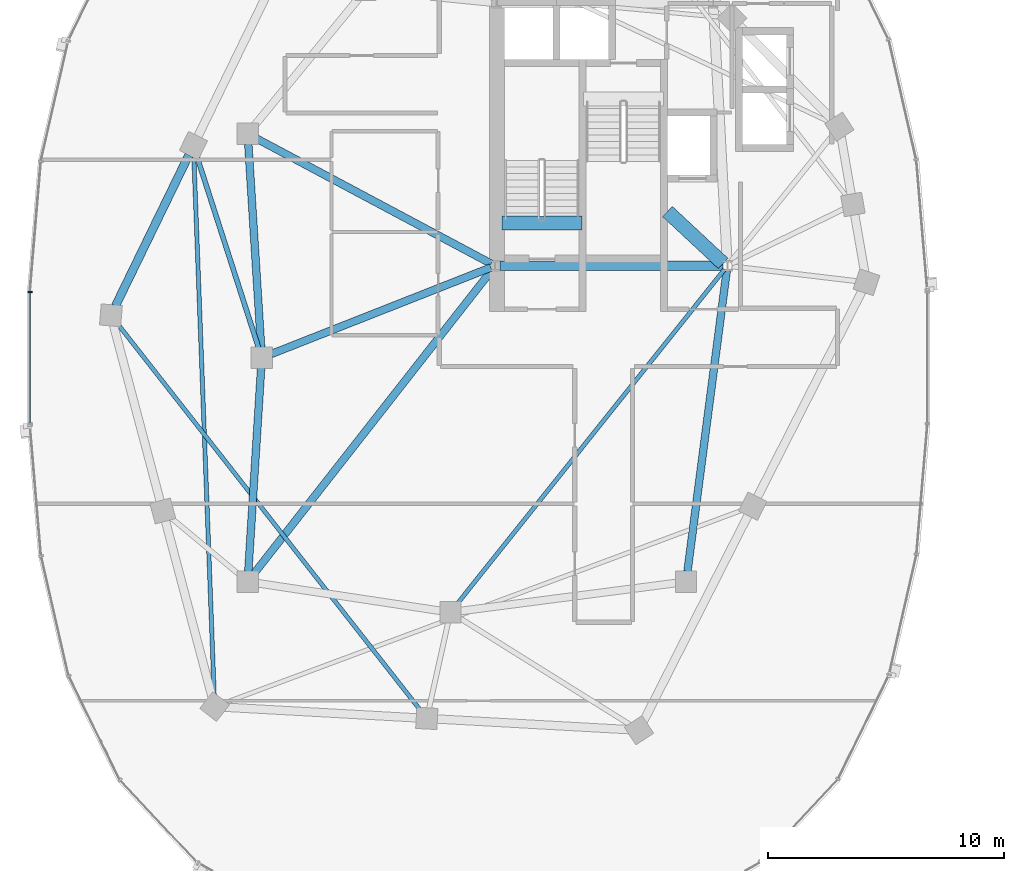
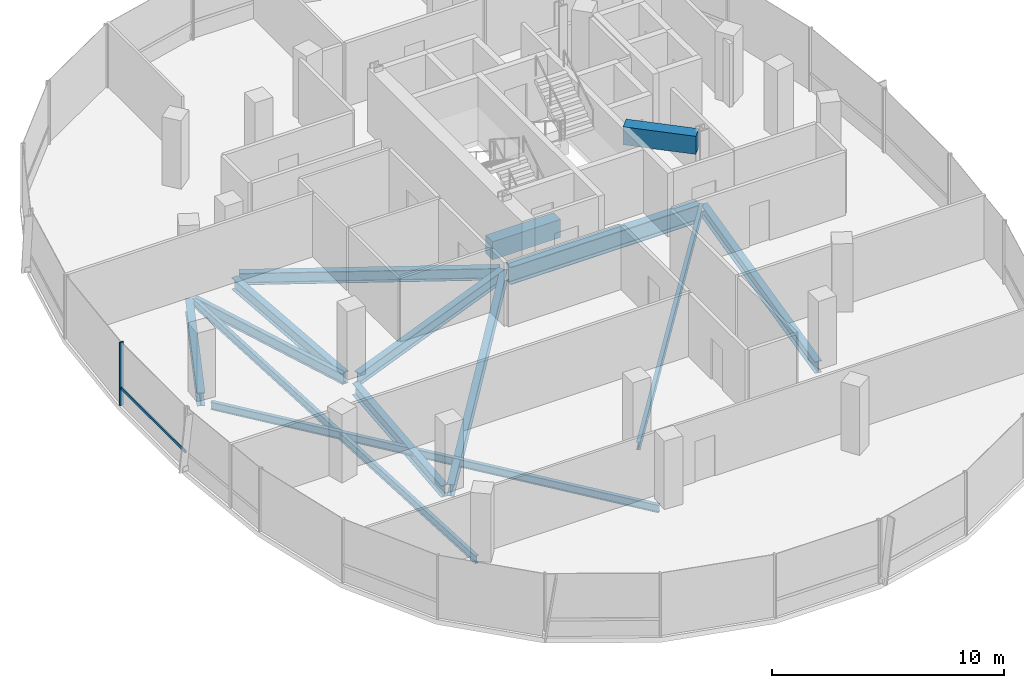
# One storey, part 4 of 25: 14 beams, 2 members, 1 element without a shape of its own.
"""IFC4 building model written with IfcOpenShell, lengths in metres."""

from ifc_helpers import new_model, si_unit, direction, frame, origin, origin_2d, place, context, subcontext, project, spatial, rectangle, i_section, extrude, material, material_profile, profile_set, type_object, element, aggregate, save


model = new_model("IFC4")

# Units and contexts
model_context = context("Model", 3, precision=1e-05, world=origin(), true_north=direction((0.0, 1.0)))
body_context = subcontext(model_context, "Body", "Model", "MODEL_VIEW")
ifc_project = project(units=[si_unit("LENGTHUNIT", "METRE"), si_unit("AREAUNIT", "SQUARE_METRE"), si_unit("VOLUMEUNIT", "CUBIC_METRE"), si_unit("PLANEANGLEUNIT", "RADIAN"), si_unit("MASSUNIT", "GRAM", prefix="KILO"), si_unit("THERMODYNAMICTEMPERATUREUNIT", "KELVIN"), si_unit("POWERUNIT", "WATT")], contexts=[model_context])

# Site, building, storey
site_placement = place(None, origin())
site = spatial("IfcSite", under=ifc_project, at=site_placement, CompositionType="ELEMENT")
building_placement = place(site_placement, origin())
building = spatial("IfcBuilding", under=site, at=building_placement, Name="Cundina Bronze Exchange", CompositionType="ELEMENT")
storey_placement = place(building_placement, frame((0.0, 0.0, 220.60009765625)))
storey = spatial("IfcBuildingStorey", under=building, at=storey_placement, Name="L58", CompositionType="ELEMENT", Elevation=220.60009765625)

# Beams
ifc_material_1 = material(Name="Concrete C60/75", Category="concrete")
ifc_material_profile_1 = material_profile(ifc_material_1, rectangle(XDim=0.60009765625, YDim=0.949951171875, at=origin_2d()), Name="RC600X950", Category="concrete")
ifc_profile_set_1 = profile_set([ifc_material_profile_1], Name="Concrete C60/75")
beam_type_1 = type_object("IfcBeamType", Name="BM-COUP-RC950", PredefinedType="LINTEL", material=ifc_profile_set_1)
beam_1_placement = place(storey_placement, frame((-31.02001953125, 5.719970703125, -0.47509765625), z_axis=(1.0, 0.0, 0.0), x_axis=(0.0, 1.0, 0.0)))
element("IfcBeam", 1, at=beam_1_placement, inside=storey, type_object=beam_type_1, Name="L58 Stair W1 Landing Header Beam", PredefinedType="LINTEL", context=body_context, shape_type="SweptSolid", body=[
    extrude(rectangle(XDim=0.60009765625, YDim=0.949951171875, at=origin_2d()), origin(), (0.0, 0.0, 1.0), 3.39990234375),
])
beam_2_placement = place(storey_placement, frame((-23.989990234375, 6.199951171875, 2.864990234375), z_axis=(0.731490439815, -0.681851696822, 0.0), x_axis=(0.681851696822, 0.731490439815, 0.0)))
element("IfcBeam", 2, at=beam_2_placement, inside=storey, type_object=beam_type_1, Name="L58 W Core Shear Coupling Lintel Beam", PredefinedType="LINTEL", context=body_context, shape_type="SweptSolid", body=[
    extrude(rectangle(XDim=0.60009765625, YDim=0.949951171875, at=origin_2d()), origin(), (0.0, 0.0, 1.0), 3.226318359375),
])
ifc_material_2 = material(Name="Steel ASTM A992 Grade 50", Category="steel")
ifc_material_profile_2 = material_profile(ifc_material_2, i_section(OverallWidth=0.2119140625, OverallDepth=0.5439453125, WebThickness=0.01318359375, FlangeThickness=0.021240234375, FilletRadius=0.013916015625, at=origin_2d()), Name="W21X83", Category="steel")
ifc_profile_set_2 = profile_set([ifc_material_profile_2], Name="Steel ASTM A992 Grade 50")
beam_type_2 = type_object("IfcBeamType", Name="BM-FLR-W21A", PredefinedType="BEAM", material=ifc_profile_set_2)
beam_3_placement = place(storey_placement, frame((-41.334228515625, 0.4169921875, -0.531982421875), z_axis=(-0.306727566953, 0.951797352208, 0.0), x_axis=(-0.951797352208, -0.306727566953, 0.0)))
element("IfcBeam", 3, at=beam_3_placement, inside=storey, type_object=beam_type_2, Name="L58 Leg W Radial Floor Beam 07", PredefinedType="BEAM", context=body_context, shape_type="SweptSolid", body=[
    extrude(i_section(OverallWidth=0.2119140625, OverallDepth=0.5439453125, WebThickness=0.01318359375, FlangeThickness=0.021240234375, FilletRadius=0.013916015625, at=origin_2d()), origin(), (0.0, 0.0, 1.0), 8.57958984375),
])
ifc_material_profile_3 = material_profile(ifc_material_2, i_section(OverallWidth=0.178955078125, OverallDepth=0.409912109375, WebThickness=0.0087890625, FlangeThickness=0.014404296875, FilletRadius=0.010986328125, at=origin_2d()), Name="W16X45", Category="steel")
ifc_profile_set_3 = profile_set([ifc_material_profile_3], Name="Steel ASTM A992 Grade 50")
beam_type_3 = type_object("IfcBeamType", Name="BM-JST-W16", PredefinedType="JOIST", material=ifc_profile_set_3)
beam_4_placement = place(storey_placement, frame((-21.572509765625, 3.746826171875, -0.465087890625), z_axis=(-0.624364266872, -0.781133319129, 0.0), x_axis=(0.781133319129, -0.624364266872, 0.0)))
element("IfcBeam", 4, at=beam_4_placement, inside=storey, type_object=beam_type_3, Name="L58 W Interior Core-to-Ring Joist 2", PredefinedType="JOIST", context=body_context, shape_type="SweptSolid", body=[
    extrude(i_section(OverallWidth=0.178955078125, OverallDepth=0.409912109375, WebThickness=0.0087890625, FlangeThickness=0.014404296875, FilletRadius=0.010986328125, at=origin_2d()), origin(), (0.0, 0.0, 1.0), 18.184814453125),
])
beam_5_placement = place(storey_placement, frame((-44.08349609375, 8.562255859375, -0.465087890625), z_axis=(0.037790216102, -0.999285694667, 0.0), x_axis=(0.999285694667, 0.037790216102, 0.0)))
element("IfcBeam", 5, at=beam_5_placement, inside=storey, type_object=beam_type_3, Name="L58 Leg W Lobe Floor Joist 07-10", PredefinedType="JOIST", context=body_context, shape_type="SweptSolid", body=[
    extrude(i_section(OverallWidth=0.178955078125, OverallDepth=0.409912109375, WebThickness=0.0087890625, FlangeThickness=0.014404296875, FilletRadius=0.010986328125, at=origin_2d()), origin(), (0.0, 0.0, 1.0), 22.94091796875),
])
beam_6_placement = place(storey_placement, frame((-47.329833984375, 1.455078125, -0.465087890625), z_axis=(0.616810493522, -0.787111691618, 0.0), x_axis=(0.787111691618, 0.616810493522, 0.0)))
element("IfcBeam", 6, at=beam_6_placement, inside=storey, type_object=beam_type_3, Name="L58 Leg W Lobe Floor Joist 08-11", PredefinedType="JOIST", context=body_context, shape_type="SweptSolid", body=[
    extrude(i_section(OverallWidth=0.178955078125, OverallDepth=0.409912109375, WebThickness=0.0087890625, FlangeThickness=0.014404296875, FilletRadius=0.010986328125, at=origin_2d()), origin(), (0.0, 0.0, 1.0), 20.8486328125),
])
ifc_material_profile_4 = material_profile(ifc_material_2, i_section(OverallWidth=0.324951171875, OverallDepth=0.615966796875, WebThickness=0.013916015625, FlangeThickness=0.021484375, FilletRadius=0.01611328125, at=origin_2d()), Name="W24X117", Category="steel")
ifc_profile_set_4 = profile_set([ifc_material_profile_4], Name="Steel ASTM A992 Grade 50")
beam_type_4 = type_object("IfcBeamType", Name="BM-RING-W24", PredefinedType="USERDEFINED", material=ifc_profile_set_4)
for number, where, z_axis, x_axis, name in (
    (7, (-41.7724609375, 9.06298828125, -0.568115234375), (0.063046519736, -0.998010589297, 0.0), (0.998010589297, 0.063046519736, 0.0), "L58 W Inner Structural Ring Girder 03"),
    (8, (-41.2275390625, -0.43701171875, -0.568115234375), (-0.063046519736, -0.998010589297, 0.0), (0.998010589297, -0.063046519736, 0.0), "L58 W Inner Structural Ring Girder 04"),
):
    element("IfcBeam", number, at=place(storey_placement, frame(where, z_axis=z_axis, x_axis=x_axis)), inside=storey, type_object=beam_type_4, Name=name, ObjectType="GIRDER", PredefinedType="USERDEFINED", context=body_context, shape_type="SweptSolid", body=[
        extrude(i_section(OverallWidth=0.324951171875, OverallDepth=0.615966796875, WebThickness=0.013916015625, FlangeThickness=0.021484375, FilletRadius=0.01611328125, at=origin_2d()), origin(), (0.0, 0.0, 1.0), 8.64306640625),
    ])
beam_7_placement = place(storey_placement, frame((-23.143310546875, -9.065673828125, -0.568115234375), z_axis=(0.129501251979, 0.991579258424, 0.0), x_axis=(-0.991579258424, 0.129501251979, 0.0)))
element("IfcBeam", 9, at=beam_7_placement, inside=storey, type_object=beam_type_4, Name="L58 W Inner Structural Ring Girder 07", ObjectType="GIRDER", PredefinedType="USERDEFINED", context=body_context, shape_type="SweptSolid", body=[
    extrude(i_section(OverallWidth=0.324951171875, OverallDepth=0.615966796875, WebThickness=0.013916015625, FlangeThickness=0.021484375, FilletRadius=0.01611328125, at=origin_2d()), origin(), (0.0, 0.0, 1.0), 12.8798828125),
])
beam_8_placement = place(storey_placement, frame((-31.482421875, 3.828125, -0.568115234375), z_axis=(-0.930404106569, -0.366535398673, 0.0), x_axis=(0.366535398673, -0.930404106569, 0.0)))
element("IfcBeam", 10, at=beam_8_placement, inside=storey, type_object=beam_type_4, Name="L58 W Core-to-Waist Tie Beam 1", ObjectType="GIRDER", PredefinedType="USERDEFINED", context=body_context, shape_type="SweptSolid", body=[
    extrude(i_section(OverallWidth=0.324951171875, OverallDepth=0.615966796875, WebThickness=0.013916015625, FlangeThickness=0.021484375, FilletRadius=0.01611328125, at=origin_2d()), origin(), (0.0, 0.0, 1.0), 10.00634765625),
])
beam_9_placement = place(storey_placement, frame((-31.472900390625, 3.9921875, -0.568115234375), z_axis=(-0.882350541683, 0.470592734317, 0.0), x_axis=(-0.470592734317, -0.882350541683, 0.0)))
element("IfcBeam", 11, at=beam_9_placement, inside=storey, type_object=beam_type_4, Name="L58 W Core-to-Waist Tie Beam 2", ObjectType="GIRDER", PredefinedType="USERDEFINED", context=body_context, shape_type="SweptSolid", body=[
    extrude(i_section(OverallWidth=0.324951171875, OverallDepth=0.615966796875, WebThickness=0.013916015625, FlangeThickness=0.021484375, FilletRadius=0.01611328125, at=origin_2d()), origin(), (0.0, 0.0, 1.0), 11.26611328125),
])
beam_10_placement = place(storey_placement, frame((-31.4208984375, 3.74560546875, -0.568115234375), z_axis=(-0.616782900053, -0.787133314123, 0.0), x_axis=(0.787133314123, -0.616782900053, 0.0)))
element("IfcBeam", 12, at=beam_10_placement, inside=storey, type_object=beam_type_4, Name="L58 W Core-to-Waist Tie Beam 3", ObjectType="GIRDER", PredefinedType="USERDEFINED", context=body_context, shape_type="SweptSolid", body=[
    extrude(i_section(OverallWidth=0.324951171875, OverallDepth=0.615966796875, WebThickness=0.013916015625, FlangeThickness=0.021484375, FilletRadius=0.01611328125, at=origin_2d()), origin(), (0.0, 0.0, 1.0), 16.3896484375),
])
ifc_material_profile_5 = material_profile(ifc_material_2, i_section(OverallWidth=0.35498046875, OverallDepth=0.695068359375, WebThickness=0.015380859375, FlangeThickness=0.02490234375, FilletRadius=0.01806640625, at=origin_2d()), Name="W27X146", Category="steel")
ifc_profile_set_5 = profile_set([ifc_material_profile_5], Name="Steel ASTM A992 Grade 50")
beam_type_5 = type_object("IfcBeamType", Name="BM-RING-W27", PredefinedType="USERDEFINED", material=ifc_profile_set_5)
beam_11_placement = place(storey_placement, frame((-44.29150390625, 8.606201171875, -0.607666015625), z_axis=(-0.437173087764, -0.89937739094, 0.0), x_axis=(0.89937739094, -0.437173087764, 0.0)))
element("IfcBeam", 13, at=beam_11_placement, inside=storey, type_object=beam_type_5, Name="L58 W Perimeter Ring Girder 07", ObjectType="GIRDER", PredefinedType="USERDEFINED", context=body_context, shape_type="SweptSolid", body=[
    extrude(i_section(OverallWidth=0.35498046875, OverallDepth=0.695068359375, WebThickness=0.015380859375, FlangeThickness=0.02490234375, FilletRadius=0.01806640625, at=origin_2d()), origin(), (0.0, 0.0, 1.0), 7.1298828125),
])
ifc_material_profile_6 = material_profile(ifc_material_2, i_section(OverallWidth=0.41796875, OverallDepth=0.927001953125, WebThickness=0.019287109375, FlangeThickness=0.031982421875, FilletRadius=0.02392578125, at=origin_2d()), Name="W36X231", Category="steel")
ifc_profile_set_6 = profile_set([ifc_material_profile_6], Name="Steel ASTM A992 Grade 50")
beam_type_6 = type_object("IfcBeamType", Name="BM-WRN-W36B", PredefinedType="USERDEFINED", material=ifc_profile_set_6)
beam_12_placement = place(storey_placement, frame((-31.10400390625, 3.89990234375, -0.7236328125), z_axis=(1.0, 0.0, 0.0), x_axis=(0.0, 1.0, 0.0)))
element("IfcBeam", 14, at=beam_12_placement, inside=storey, type_object=beam_type_6, Name="L58 W Core Perimeter Tie Girder 1", ObjectType="GIRDER", PredefinedType="USERDEFINED", context=body_context, shape_type="SweptSolid", body=[
    extrude(i_section(OverallWidth=0.41796875, OverallDepth=0.927001953125, WebThickness=0.019287109375, FlangeThickness=0.031982421875, FilletRadius=0.02392578125, at=origin_2d()), origin(), (0.0, 0.0, 1.0), 9.4580078125),
])

# Curtain wall, members
ifc_material_3 = material(Name="Anodised Bronze Aluminium 6063-T6", Category="aluminium")
curtain_wall_type = type_object("IfcCurtainWallType", Name="CWS-UPP-OFF", PredefinedType="NOTDEFINED", material=ifc_material_3)
curtain_wall_placement = place(storey_placement, origin())
curtain_wall = element("IfcCurtainWall", 15, at=curtain_wall_placement, inside=storey, type_object=curtain_wall_type, Name="L58 CW-05 Curtain Wall Run CWR-L58-W2", PredefinedType="NOTDEFINED")
ifc_material_profile_7 = material_profile(ifc_material_3, rectangle(XDim=0.070068359375, YDim=0.18994140625, at=origin_2d()), Name="AL70X190", Category="aluminium")
ifc_profile_set_7 = profile_set([ifc_material_profile_7], Name="Anodised Bronze Aluminium 6063-T6")
member_type_1 = type_object("IfcMemberType", Name="CWM-MUL-190", PredefinedType="MULLION", material=ifc_profile_set_7)
member_1_placement = place(storey_placement, frame((-51.033935546875, 2.794921875, 0.0), z_axis=(0.0, 0.0, 1.0), x_axis=(0.0, -1.0, 0.0)))
member_1 = element("IfcMember", 16, at=member_1_placement, type_object=member_type_1, Name="CW-05 Mullion 7", PredefinedType="MULLION", context=body_context, shape_type="SweptSolid", body=[
    extrude(rectangle(XDim=0.070068359375, YDim=0.18994140625, at=origin_2d()), origin(), (0.0, 0.0, 1.0), 3.33984375),
])
ifc_material_profile_8 = material_profile(ifc_material_3, rectangle(XDim=0.06494140625, YDim=0.14990234375, at=origin_2d()), Name="AL65X150", Category="aluminium")
ifc_profile_set_8 = profile_set([ifc_material_profile_8], Name="Anodised Bronze Aluminium 6063-T6")
member_type_2 = type_object("IfcMemberType", Name="CWM-TRN-150", PredefinedType="USERDEFINED", material=ifc_profile_set_8)
member_2_placement = place(storey_placement, frame((-51.033935546875, 2.756591796875, 0.919921875), z_axis=(0.0, -1.0, 0.0), x_axis=(1.0, 0.0, 0.0)))
member_2 = element("IfcMember", 17, at=member_2_placement, type_object=member_type_2, Name="CW-05 Spandrel Transom 7", ObjectType="TRANSOM", PredefinedType="USERDEFINED", context=body_context, shape_type="SweptSolid", body=[
    extrude(rectangle(XDim=0.06494140625, YDim=0.14990234375, at=origin_2d()), origin(), (0.0, 0.0, 1.0), 5.51318359375),
])
aggregate(curtain_wall, [member_1, member_2])

save(model, "model.ifc")
